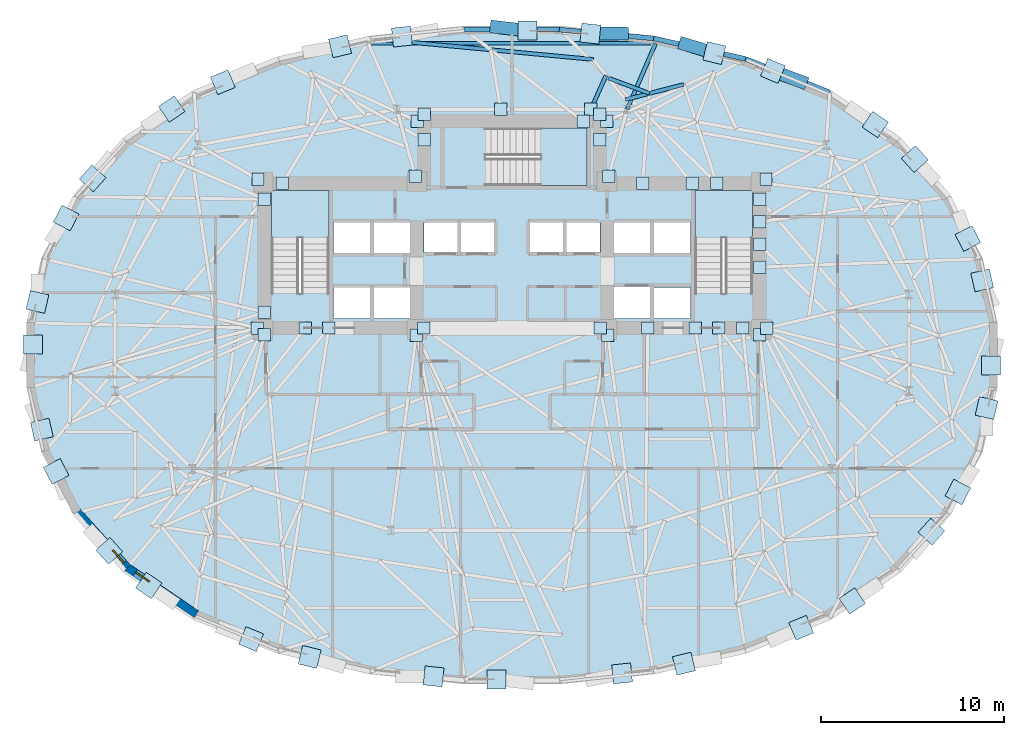
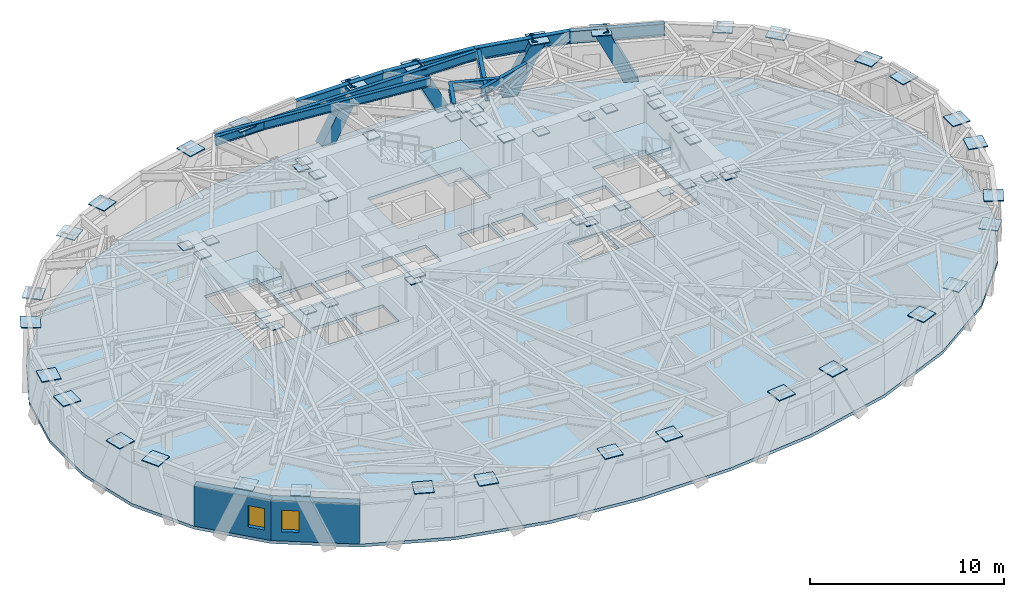
# One storey, part 5 of 14: 69 plates, 10 beams, 4 members, 4 slabs, 2 walls, 2 windows, 2 openings, 3 elements without a shape of their own.
"""IFC4 building model written with IfcOpenShell, lengths in metres."""

from ifc_helpers import new_model, si_unit, direction, frame, frame_2d, origin, origin_2d, place, context, subcontext, project, spatial, polyline, rectangle, hollow_rectangle, i_section, outline, extrude, material, layer, layer_set, material_profile, profile_set, type_object, element, fill, aggregate, save


model = new_model("IFC4")

# Units and contexts
model_context = context("Model", 3, precision=1e-05, world=origin(), true_north=direction((0.0, 1.0)))
body_context = subcontext(model_context, "Body", "Model", "MODEL_VIEW")
ifc_project = project(units=[si_unit("LENGTHUNIT", "METRE"), si_unit("AREAUNIT", "SQUARE_METRE"), si_unit("VOLUMEUNIT", "CUBIC_METRE"), si_unit("PLANEANGLEUNIT", "RADIAN"), si_unit("MASSUNIT", "GRAM", prefix="KILO")], contexts=[model_context])

# Site, building, storey
site_placement = place(None, origin())
site = spatial("IfcSite", under=ifc_project, at=site_placement, CompositionType="ELEMENT")
building_placement = place(site_placement, origin())
building = spatial("IfcBuilding", under=site, at=building_placement, Name="Keldmark Tower", CompositionType="ELEMENT")
storey_placement = place(building_placement, frame((0.0, 0.0, 117.60009765625)))
storey = spatial("IfcBuildingStorey", under=building, at=storey_placement, Name="L31", CompositionType="ELEMENT", Elevation=117.60009765625)

# Members
ifc_material_1 = material(Name="Steel ASTM A572 Grade 50", Category="steel")
ifc_material_profile_1 = material_profile(ifc_material_1, hollow_rectangle(XDim=0.699951171875, YDim=0.699951171875, WallThickness=0.044921875, at=origin_2d()), Name="BOX700X700X45")
ifc_profile_set_1 = profile_set([ifc_material_profile_1], Name="Steel ASTM A572 Grade 50")
member_type = type_object("IfcMemberType", Name="Diagrid Zone 2 Brace BOX700X700X45", PredefinedType="BRACE", material=ifc_profile_set_1)
member_1_placement = place(storey_placement, frame((15.80908203125, 14.9326171875, -0.27001953125), z_axis=(-0.404998247522, 0.153591515039, 0.901324617445), x_axis=(-0.354596691599, -0.935019350766, 0.0)))
element("IfcMember", 1, at=member_1_placement, inside=storey, type_object=member_type, Name="L31 Perimeter Diagrid Brace 03A", PredefinedType="BRACE", context=body_context, shape_type="SweptSolid", body=[
    extrude(hollow_rectangle(XDim=0.699951171875, YDim=0.699951171875, WallThickness=0.044921875, at=origin_2d()), origin(), (0.0, 0.0, 1.0), 3.8388671875),
])
member_2_placement = place(storey_placement, frame((9.439697265625, 16.982666015625, -0.27001953125), z_axis=(0.419880974586, -0.125393457214, 0.898875101485), x_axis=(0.286152554398, 0.958184071884, 0.0)))
element("IfcMember", 2, at=member_2_placement, inside=storey, type_object=member_type, Name="L31 Perimeter Diagrid Brace 03B", PredefinedType="BRACE", context=body_context, shape_type="SweptSolid", body=[
    extrude(hollow_rectangle(XDim=0.699951171875, YDim=0.699951171875, WallThickness=0.044921875, at=origin_2d()), origin(), (0.0, 0.0, 1.0), 3.84912109375),
])
member_3_placement = place(storey_placement, frame((6.053955078125, 17.55908203125, -0.27001953125), z_axis=(-0.455336778856, 0.000565401629, 0.890319099055), x_axis=(-0.001241720897, -0.999999229064, 0.0)))
element("IfcMember", 3, at=member_3_placement, inside=storey, type_object=member_type, Name="L31 Perimeter Diagrid Brace 04A", PredefinedType="BRACE", context=body_context, shape_type="SweptSolid", body=[
    extrude(hollow_rectangle(XDim=0.699951171875, YDim=0.699951171875, WallThickness=0.044921875, at=origin_2d()), origin(), (0.0, 0.0, 1.0), 3.88623046875),
])
member_4_placement = place(storey_placement, frame((-0.876708984375, 17.921142578125, -0.27001953125), z_axis=(0.446958771668, -0.05211263276, 0.893035346409), x_axis=(0.115809319173, 0.993271464199, 0.0)))
element("IfcMember", 4, at=member_4_placement, inside=storey, type_object=member_type, Name="L31 Perimeter Diagrid Brace 04B", PredefinedType="BRACE", context=body_context, shape_type="SweptSolid", body=[
    extrude(hollow_rectangle(XDim=0.699951171875, YDim=0.699951171875, WallThickness=0.044921875, at=origin_2d()), origin(), (0.0, 0.0, 1.0), 3.874267578125),
])

# Beams
ifc_material_2 = material(Name="Steel ASTM A992 Grade 50", Category="steel")
ifc_material_profile_2 = material_profile(ifc_material_2, i_section(OverallWidth=0.2099609375, OverallDepth=0.537109375, WebThickness=0.010986328125, FlangeThickness=0.017333984375, at=origin_2d()), Name="W21X68")
ifc_profile_set_2 = profile_set([ifc_material_profile_2], Name="Steel ASTM A992 Grade 50")
beam_type_1 = type_object("IfcBeamType", Name="Radial Tie Girder W21X68", PredefinedType="BEAM", material=ifc_profile_set_2)
beam_1_placement = place(storey_placement, frame((9.380859375, 14.781005859375, 3.04150390625), z_axis=(-0.967970183358, -0.251065179046, 0.0), x_axis=(0.251065179046, -0.967970183358, 0.0)))
element("IfcBeam", 5, at=beam_1_placement, inside=storey, type_object=beam_type_1, Name="L31 Framing Pin Header PH-008", PredefinedType="BEAM", context=body_context, shape_type="SweptSolid", body=[
    extrude(i_section(OverallWidth=0.2099609375, OverallDepth=0.537109375, WebThickness=0.010986328125, FlangeThickness=0.017333984375, at=origin_2d()), origin(), (0.0, 0.0, 1.0), 3.289794921875),
])
beam_2_placement = place(storey_placement, frame((5.26025390625, 15.13232421875, 3.04150390625), z_axis=(0.937258189231, -0.348636037609, 0.0), x_axis=(0.348636037609, 0.937258189231, 0.0)))
element("IfcBeam", 6, at=beam_2_placement, inside=storey, type_object=beam_type_1, Name="L31 Framing Pin Header PH-017", PredefinedType="BEAM", context=body_context, shape_type="SweptSolid", body=[
    extrude(i_section(OverallWidth=0.2099609375, OverallDepth=0.537109375, WebThickness=0.010986328125, FlangeThickness=0.017333984375, at=origin_2d()), origin(), (0.0, 0.0, 1.0), 2.39990234375),
])
beam_3_placement = place(storey_placement, frame((4.311279296875, 13.4326171875, 3.04150390625), z_axis=(0.40972339729, 0.912209810139, 0.0), x_axis=(-0.912209810139, 0.40972339729, 0.0)))
element("IfcBeam", 7, at=beam_3_placement, inside=storey, type_object=beam_type_1, Name="L31 Framing Pin Header PH-018", PredefinedType="BEAM", context=body_context, shape_type="SweptSolid", body=[
    extrude(i_section(OverallWidth=0.2099609375, OverallDepth=0.537109375, WebThickness=0.010986328125, FlangeThickness=0.017333984375, at=origin_2d()), origin(), (0.0, 0.0, 1.0), 2.026611328125),
])
beam_4_placement = place(storey_placement, frame((6.298828125, 13.4326171875, 3.04150390625), z_axis=(0.395437186935, 0.918493021851, 0.0), x_axis=(-0.918493021851, 0.395437186935, 0.0)))
element("IfcBeam", 8, at=beam_4_placement, inside=storey, type_object=beam_type_1, Name="L31 North Column Cantilever Girder East FG-TCN-E", PredefinedType="BEAM", context=body_context, shape_type="SweptSolid", body=[
    extrude(i_section(OverallWidth=0.2099609375, OverallDepth=0.537109375, WebThickness=0.010986328125, FlangeThickness=0.017333984375, at=origin_2d()), origin(), (0.0, 0.0, 1.0), 3.919921875),
])
beam_5_placement = place(storey_placement, frame((-7.848876953125, 17.032958984375, 3.04150390625), z_axis=(1.0, 0.0, 0.0), x_axis=(0.0, 1.0, 0.0)))
element("IfcBeam", 9, at=beam_5_placement, inside=storey, type_object=beam_type_1, Name="L31 North Outer Header Girder FG-TCN-H1", PredefinedType="BEAM", context=body_context, shape_type="SweptSolid", body=[
    extrude(i_section(OverallWidth=0.2099609375, OverallDepth=0.537109375, WebThickness=0.010986328125, FlangeThickness=0.017333984375, at=origin_2d()), origin(), (0.0, 0.0, 1.0), 15.69775390625),
])
beam_6_placement = place(storey_placement, frame((4.4521484375, 16.148193359375, 3.04150390625), z_axis=(-0.995581612874, 0.093900224211, 0.0), x_axis=(-0.093900224211, -0.995581612874, 0.0)))
element("IfcBeam", 10, at=beam_6_placement, inside=storey, type_object=beam_type_1, Name="L31 Straddling Support Chord RT-09RB", PredefinedType="BEAM", context=body_context, shape_type="SweptSolid", body=[
    extrude(i_section(OverallWidth=0.2099609375, OverallDepth=0.537109375, WebThickness=0.010986328125, FlangeThickness=0.017333984375, at=origin_2d()), origin(), (0.0, 0.0, 1.0), 12.24609375),
])
ifc_material_3 = material(Name="Steel ASTM A992 Grade 50", Category="steel")
ifc_material_profile_3 = material_profile(ifc_material_3, i_section(OverallWidth=0.26806640625, OverallDepth=0.77001953125, WebThickness=0.015625, FlangeThickness=0.025390625, at=origin_2d()), Name="W30X132")
ifc_profile_set_3 = profile_set([ifc_material_profile_3], Name="Steel ASTM A992 Grade 50")
beam_type_2 = type_object("IfcBeamType", Name="Spandrel Ring Beam W30X132", PredefinedType="SPANDREL", material=ifc_profile_set_3)
beam_7_placement = place(storey_placement, frame((17.364990234375, 14.345703125, 2.9248046875), z_axis=(-0.92909994532, 0.369828732804, 0.0), x_axis=(-0.369828732804, -0.92909994532, 0.0)))
element("IfcBeam", 11, at=beam_7_placement, inside=storey, type_object=beam_type_2, Name="L31 Perimeter Spandrel Ring Beam SRB-05", PredefinedType="SPANDREL", context=body_context, shape_type="SweptSolid", body=[
    extrude(i_section(OverallWidth=0.26806640625, OverallDepth=0.77001953125, WebThickness=0.015625, FlangeThickness=0.025390625, at=origin_2d()), origin(), (0.0, 0.0, 1.0), 4.96044921875),
])
beam_8_placement = place(storey_placement, frame((12.75634765625, 16.18017578125, 2.9248046875), z_axis=(-0.976058355685, 0.217508818896, 0.0), x_axis=(-0.217508818896, -0.976058355685, 0.0)))
element("IfcBeam", 12, at=beam_8_placement, inside=storey, type_object=beam_type_2, Name="L31 Perimeter Spandrel Ring Beam SRB-06", PredefinedType="SPANDREL", context=body_context, shape_type="SweptSolid", body=[
    extrude(i_section(OverallWidth=0.26806640625, OverallDepth=0.77001953125, WebThickness=0.015625, FlangeThickness=0.025390625, at=origin_2d()), origin(), (0.0, 0.0, 1.0), 5.1396484375),
])
beam_9_placement = place(storey_placement, frame((7.73974609375, 17.298095703125, 2.9248046875), z_axis=(-0.995683505502, 0.092813559737, 0.0), x_axis=(-0.092813559737, -0.995683505502, 0.0)))
element("IfcBeam", 13, at=beam_9_placement, inside=storey, type_object=beam_type_2, Name="L31 Perimeter Spandrel Ring Beam SRB-07", PredefinedType="SPANDREL", context=body_context, shape_type="SweptSolid", body=[
    extrude(i_section(OverallWidth=0.26806640625, OverallDepth=0.77001953125, WebThickness=0.015625, FlangeThickness=0.025390625, at=origin_2d()), origin(), (0.0, 0.0, 1.0), 5.179443359375),
])
beam_10_placement = place(storey_placement, frame((2.582763671875, 17.77880859375, 2.9248046875), z_axis=(-1.0, 0.0, 0.0), x_axis=(0.0, -1.0, 0.0)))
element("IfcBeam", 14, at=beam_10_placement, inside=storey, type_object=beam_type_2, Name="L31 Perimeter Spandrel Ring Beam SRB-08", PredefinedType="SPANDREL", context=body_context, shape_type="SweptSolid", body=[
    extrude(i_section(OverallWidth=0.26806640625, OverallDepth=0.77001953125, WebThickness=0.015625, FlangeThickness=0.025390625, at=origin_2d()), origin(), (0.0, 0.0, 1.0), 5.16552734375),
])

# Plates
ifc_material_4 = material(Name="Steel ASTM A572 Grade 50", Category="steel")
ifc_layer_1 = layer(ifc_material_4, 0.06005859375)
ifc_layer_set_1 = layer_set([ifc_layer_1], Name="Steel ASTM A572 Grade 50")
plate_type_1 = type_object("IfcPlateType", Name="Belt Truss Kink Node Assembly KN01 60 mm", PredefinedType="USERDEFINED", material=ifc_layer_set_1)
for number, where, z_axis, x_axis, name in (
    (15, (13.91162109375, 1.473388671875, 3.01416015625), (0.0, 0.0, 1.0), (1.0, 0.0, 0.0), "L31 Core Wall Cast-In Embed Plate 881"),
    (16, (13.878173828125, 9.608154296875, 3.01416015625), (0.0, 0.0, 1.0), (1.0, 0.0, 0.0), "L31 Core Wall Cast-In Embed Plate 882"),
    (17, (5.28515625, 9.758544921875, 3.01416015625), (0.0, 0.0, 1.0), (1.0, 0.0, 0.0), "L31 Core Wall Cast-In Embed Plate 883"),
    (18, (-5.28515625, 9.758544921875, 3.01416015625), (0.0, 0.0, 1.0), (1.0, 0.0, 0.0), "L31 Core Wall Cast-In Embed Plate 884"),
    (19, (-13.878173828125, 9.608154296875, 3.01416015625), (0.0, 0.0, 1.0), (1.0, 0.0, 0.0), "L31 Core Wall Cast-In Embed Plate 885"),
    (20, (-13.91162109375, 1.473388671875, 3.01416015625), (0.0, 0.0, 1.0), (1.0, 0.0, 0.0), "L31 Core Wall Cast-In Embed Plate 886"),
    (21, (-5.24072265625, 1.08251953125, 3.01416015625), (0.0, 0.0, 1.0), (1.0, 0.0, 0.0), "L31 Core Wall Cast-In Embed Plate 887"),
    (22, (5.24072265625, 1.08251953125, 3.01416015625), (0.0, 0.0, 1.0), (1.0, 0.0, 0.0), "L31 Core Wall Cast-In Embed Plate 888"),
    (23, (4.800048828125, 13.14990234375, 3.01416015625), (0.0, 0.0, 1.0), (1.0, 0.0, 0.0), "L31 Core Wall Cast-In Embed Plate 889"),
    (24, (11.19287109375, 9.375, 3.01416015625), (0.0, 0.0, 1.0), (1.0, 0.0, 0.0), "L31 Core Wall Cast-In Embed Plate 890"),
    (25, (-4.800048828125, 13.14990234375, 3.01416015625), (0.0, 0.0, 1.0), (1.0, 0.0, 0.0), "L31 Core Wall Cast-In Embed Plate 891"),
    (26, (9.83935546875, 9.375, 3.01416015625), (0.0, 0.0, 1.0), (1.0, 0.0, 0.0), "L31 Core Wall Cast-In Embed Plate 892"),
    (27, (-11.30712890625, 1.47509765625, 3.01416015625), (0.0, 0.0, 1.0), (1.0, 0.0, 0.0), "L31 Core Wall Cast-In Embed Plate 893"),
    (28, (12.603515625, 1.47509765625, 3.01416015625), (0.0, 0.0, 1.0), (1.0, 0.0, 0.0), "L31 Core Wall Cast-In Embed Plate 894"),
    (29, (13.52490234375, 6.04296875, 3.01416015625), (0.0, 0.0, 1.0), (1.0, 0.0, 0.0), "L31 Core Wall Cast-In Embed Plate 895"),
    (30, (13.52490234375, 4.80712890625, 3.01416015625), (0.0, 0.0, 1.0), (1.0, 0.0, 0.0), "L31 Core Wall Cast-In Embed Plate 896"),
    (31, (13.52490234375, 7.278564453125, 3.01416015625), (0.0, 0.0, 1.0), (1.0, 0.0, 0.0), "L31 Core Wall Cast-In Embed Plate 897"),
    (32, (5.175048828125, 12.77490234375, 3.01416015625), (0.0, 0.0, 1.0), (1.0, 0.0, 0.0), "L31 Core Wall Cast-In Embed Plate 898"),
    (33, (4.800048828125, 11.7666015625, 3.01416015625), (0.0, 0.0, 1.0), (1.0, 0.0, 0.0), "L31 Core Wall Cast-In Embed Plate 899"),
    (34, (7.132080078125, 9.375, 3.01416015625), (0.0, 0.0, 1.0), (1.0, 0.0, 0.0), "L31 Core Wall Cast-In Embed Plate 900"),
    (35, (4.311279296875, 13.4326171875, 3.01416015625), (0.0, 0.0, 1.0), (1.0, 0.0, 0.0), "L31 Core Wall Cast-In Embed Plate 901"),
    (36, (-12.54638671875, 9.375, 3.01416015625), (0.0, 0.0, 1.0), (1.0, 0.0, 0.0), "L31 Core Wall Cast-In Embed Plate 902"),
    (37, (-5.175048828125, 12.77490234375, 3.01416015625), (0.0, 0.0, 1.0), (1.0, 0.0, 0.0), "L31 Core Wall Cast-In Embed Plate 903"),
    (38, (-4.800048828125, 11.7666015625, 3.01416015625), (0.0, 0.0, 1.0), (1.0, 0.0, 0.0), "L31 Core Wall Cast-In Embed Plate 904"),
    (39, (-13.52490234375, 8.514404296875, 3.01416015625), (0.0, 0.0, 1.0), (1.0, 0.0, 0.0), "L31 Core Wall Cast-In Embed Plate 905"),
    (40, (-13.52490234375, 2.335693359375, 3.01416015625), (0.0, 0.0, 1.0), (1.0, 0.0, 0.0), "L31 Core Wall Cast-In Embed Plate 906"),
    (41, (-13.52490234375, 1.10009765625, 3.01416015625), (0.0, 0.0, 1.0), (1.0, 0.0, 0.0), "L31 Core Wall Cast-In Embed Plate 907"),
    (42, (4.824951171875, 1.47509765625, 3.01416015625), (0.0, 0.0, 1.0), (1.0, 0.0, 0.0), "L31 Core Wall Cast-In Embed Plate 908"),
    (43, (13.52490234375, 1.10009765625, 3.01416015625), (0.0, 0.0, 1.0), (1.0, 0.0, 0.0), "L31 Core Wall Cast-In Embed Plate 909"),
    (44, (-10.0107421875, 1.47509765625, 3.01416015625), (0.0, 0.0, 1.0), (1.0, 0.0, 0.0), "L31 Core Wall Cast-In Embed Plate 910"),
    (45, (7.41796875, 1.47509765625, 3.01416015625), (0.0, 0.0, 1.0), (1.0, 0.0, 0.0), "L31 Core Wall Cast-In Embed Plate 911"),
    (46, (11.30712890625, 1.47509765625, 3.01416015625), (0.0, 0.0, 1.0), (1.0, 0.0, 0.0), "L31 Core Wall Cast-In Embed Plate 912"),
    (47, (10.0107421875, 1.47509765625, 3.01416015625), (0.0, 0.0, 1.0), (1.0, 0.0, 0.0), "L31 Core Wall Cast-In Embed Plate 913"),
    (48, (-4.824951171875, 1.47509765625, 3.01416015625), (0.0, 0.0, 1.0), (1.0, 0.0, 0.0), "L31 Core Wall Cast-In Embed Plate 914"),
    (49, (13.52490234375, 8.514404296875, 3.01416015625), (0.0, 0.0, 1.0), (1.0, 0.0, 0.0), "L31 Core Wall Cast-In Embed Plate 915"),
    (50, (-0.615966796875, 13.4326171875, 3.01416015625), (0.0, 0.0, 1.0), (1.0, 0.0, 0.0), "L31 Core Wall Cast-In Embed Plate 916"),
    (51, (3.88134765625, 12.77490234375, 3.01416015625), (0.0, 0.0, 1.0), (1.0, 0.0, 0.0), "L31 Core Wall Cast-In Embed Plate 917"),
):
    element("IfcPlate", number, at=place(storey_placement, frame(where, z_axis=z_axis, x_axis=x_axis)), inside=storey, type_object=plate_type_1, Name=name, ObjectType="CAP PLATE", PredefinedType="USERDEFINED", context=body_context, shape_type="SweptSolid", body=[
        extrude(rectangle(XDim=0.679931640625, YDim=0.679931640625, at=origin_2d()), origin(), (0.0, 0.0, 1.0), 0.054931640625),
    ])
ifc_material_5 = material(Name="Steel ASTM A572 Grade 50", Category="steel")
ifc_layer_2 = layer(ifc_material_5, 0.054931640625)
ifc_layer_set_2 = layer_set([ifc_layer_2], Name="Steel ASTM A572 Grade 50")
plate_type_2 = type_object("IfcPlateType", Name="Diagrid Node Assembly DN03 55 mm", PredefinedType="USERDEFINED", material=ifc_layer_set_2)
for number, where, z_axis, x_axis, name in (
    (52, (25.69091796875, 4.075927734375, 3.16259765625), (0.0, 0.0, 1.0), (-0.223250116011, 0.974761194191, 0.0), "L31 Diagrid Node Assembly 01"),
    (53, (24.9072265625, 6.363525390625, 3.16259765625), (0.0, 0.0, 1.0), (-0.461748613235, 0.887010833178, 0.0), "L31 Diagrid Node Assembly 02"),
    (54, (22.008544921875, 10.703369140625, 3.16259765625), (0.0, 0.0, 1.0), (-0.668741404933, 0.743495079559, 0.0), "L31 Diagrid Node Assembly 03"),
    (55, (19.84814453125, 12.592529296875, 3.16259765625), (0.0, 0.0, 1.0), (-0.827668733006, 0.561216953062, 0.0), "L31 Diagrid Node Assembly 04"),
    (56, (14.25439453125, 15.522216796875, 3.16259765625), (0.0, 0.0, 1.0), (-0.924146470781, 0.38203834957, 0.0), "L31 Diagrid Node Assembly 05"),
    (57, (11.055908203125, 16.5, 3.16259765625), (0.0, 0.0, 1.0), (-0.972532659033, 0.232766464755, 0.0), "L31 Diagrid Node Assembly 06"),
    (58, (4.284423828125, 17.561279296875, 3.16259765625), (0.0, 0.0, 1.0), (-0.994503636562, 0.10470203849, 0.0), "L31 Diagrid Node Assembly 07"),
    (59, (0.85498046875, 17.71923828125, 3.16259765625), (0.0, 0.0, 1.0), (-1.0, 0.0, 0.0), "L31 Diagrid Node Assembly 08"),
    (60, (-6.014892578125, 17.398681640625, 3.16259765625), (0.0, 0.0, 1.0), (-0.994503636562, -0.10470203849, 0.0), "L31 Diagrid Node Assembly 09"),
    (61, (-9.39453125, 16.8681640625, 3.16259765625), (0.0, 0.0, 1.0), (-0.972532659033, -0.232766464755, 0.0), "L31 Diagrid Node Assembly 10"),
    (62, (-15.800537109375, 14.904296875, 3.16259765625), (0.0, 0.0, 1.0), (-0.924146470781, -0.38203834957, 0.0), "L31 Diagrid Node Assembly 11"),
    (63, (-18.591796875, 13.441650390625, 3.16259765625), (0.0, 0.0, 1.0), (-0.827668733006, -0.561216953062, 0.0), "L31 Diagrid Node Assembly 12"),
    (64, (-22.9169921875, 9.65185546875, 3.16259765625), (0.0, 0.0, 1.0), (-0.668741404933, -0.743495079559, 0.0), "L31 Diagrid Node Assembly 13"),
    (65, (-24.362060546875, 7.486572265625, 3.16259765625), (0.0, 0.0, 1.0), (-0.461748613235, -0.887010833178, 0.0), "L31 Diagrid Node Assembly 14"),
    (66, (-25.9296875, 2.899169921875, 3.16259765625), (0.0, 0.0, 1.0), (-0.223250116011, -0.974761194191, 0.0), "L31 Diagrid Node Assembly 15"),
    (67, (-26.163818359375, 0.577880859375, 3.16259765625), (0.0, 0.0, 1.0), (0.0, -1.0, 0.0), "L31 Diagrid Node Assembly 16"),
    (68, (-25.69091796875, -4.075927734375, 3.16259765625), (0.0, 0.0, 1.0), (0.223250116011, -0.974761194191, 0.0), "L31 Diagrid Node Assembly 17"),
    (69, (-24.9072265625, -6.363525390625, 3.16259765625), (0.0, 0.0, 1.0), (0.461748613235, -0.887010833178, 0.0), "L31 Diagrid Node Assembly 18"),
    (70, (-22.008544921875, -10.703369140625, 3.16259765625), (0.0, 0.0, 1.0), (0.668741404933, -0.743495079559, 0.0), "L31 Diagrid Node Assembly 19"),
    (71, (-19.84814453125, -12.592529296875, 3.16259765625), (0.0, 0.0, 1.0), (0.827668733006, -0.561216953062, 0.0), "L31 Diagrid Node Assembly 20"),
    (72, (-14.25439453125, -15.522216796875, 3.16259765625), (0.0, 0.0, 1.0), (0.924146470781, -0.38203834957, 0.0), "L31 Diagrid Node Assembly 21"),
    (73, (-11.055908203125, -16.5, 3.16259765625), (0.0, 0.0, 1.0), (0.972532659033, -0.232766464755, 0.0), "L31 Diagrid Node Assembly 22"),
    (74, (-4.284423828125, -17.561279296875, 3.16259765625), (0.0, 0.0, 1.0), (0.994503636562, -0.10470203849, 0.0), "L31 Diagrid Node Assembly 23"),
    (75, (-0.85498046875, -17.71923828125, 3.16259765625), (0.0, 0.0, 1.0), (1.0, 0.0, 0.0), "L31 Diagrid Node Assembly 24"),
    (76, (6.014892578125, -17.398681640625, 3.16259765625), (0.0, 0.0, 1.0), (0.994503636562, 0.10470203849, 0.0), "L31 Diagrid Node Assembly 25"),
    (77, (9.39453125, -16.8681640625, 3.16259765625), (0.0, 0.0, 1.0), (0.972532659033, 0.232766464755, 0.0), "L31 Diagrid Node Assembly 26"),
    (78, (15.800537109375, -14.904296875, 3.16259765625), (0.0, 0.0, 1.0), (0.924146470781, 0.38203834957, 0.0), "L31 Diagrid Node Assembly 27"),
    (79, (18.591796875, -13.441650390625, 3.16259765625), (0.0, 0.0, 1.0), (0.827668733006, 0.561216953062, 0.0), "L31 Diagrid Node Assembly 28"),
    (80, (22.9169921875, -9.65185546875, 3.16259765625), (0.0, 0.0, 1.0), (0.668741404933, 0.743495079559, 0.0), "L31 Diagrid Node Assembly 29"),
    (81, (24.362060546875, -7.486572265625, 3.16259765625), (0.0, 0.0, 1.0), (0.461748613235, 0.887010833178, 0.0), "L31 Diagrid Node Assembly 30"),
    (82, (25.9296875, -2.899169921875, 3.16259765625), (0.0, 0.0, 1.0), (0.223250116011, 0.974761194191, 0.0), "L31 Diagrid Node Assembly 31"),
    (83, (26.163818359375, -0.577880859375, 3.16259765625), (0.0, 0.0, 1.0), (0.0, 1.0, 0.0), "L31 Diagrid Node Assembly 32"),
):
    element("IfcPlate", number, at=place(storey_placement, frame(where, z_axis=z_axis, x_axis=x_axis)), inside=storey, type_object=plate_type_2, Name=name, ObjectType="GUSSET", PredefinedType="USERDEFINED", context=body_context, shape_type="SweptSolid", body=[
        extrude(rectangle(XDim=1.0400390625, YDim=1.0400390625, at=origin_2d()), origin(), (0.0, 0.0, 1.0), 0.054931640625),
    ])

# Slab
ifc_material_6 = material(Name="Concrete C35/45", Category="concrete")
ifc_layer_3 = layer(ifc_material_6, 0.18994140625)
ifc_layer_set_3 = layer_set([ifc_layer_3], Name="Concrete C35/45")
slab_type_1 = type_object("IfcSlabType", Name="Mid-Rise Office Composite Slab 190 mm", PredefinedType="FLOOR", material=ifc_layer_set_3)
slab_1_placement = place(storey_placement, frame((0.0, 0.0, -0.190185546875)))
element("IfcSlab", 84, at=slab_1_placement, inside=storey, type_object=slab_type_1, Name="L31 Composite Structural Floor Slab", PredefinedType="FLOOR", context=body_context, shape_type="SweptSolid", body=[
    extrude(outline(polyline([(26.52197265625, 1.77099609375), (25.716064453125, 5.288818359375), (23.950927734375, 8.67919921875), (21.165283203125, 11.776123046875), (17.3701171875, 14.349365234375), (12.802001953125, 16.23779296875), (7.80078125, 17.434326171875), (2.6123046875, 17.980712890625), (-2.6123046875, 17.980712890625), (-7.80078125, 17.434326171875), (-12.802001953125, 16.23779296875), (-17.3701171875, 14.349365234375), (-21.165283203125, 11.776123046875), (-23.950927734375, 8.67919921875), (-25.716064453125, 5.288818359375), (-26.52197265625, 1.77099609375), (-26.52197265625, -1.77099609375), (-25.716064453125, -5.288818359375), (-23.950927734375, -8.67919921875), (-21.165283203125, -11.776123046875), (-17.3701171875, -14.349365234375), (-12.802001953125, -16.23779296875), (-7.80078125, -17.434326171875), (-2.6123046875, -17.980712890625), (2.6123046875, -17.980712890625), (7.80078125, -17.434326171875), (12.802001953125, -16.23779296875), (17.3701171875, -14.349365234375), (21.165283203125, -11.776123046875), (23.950927734375, -8.67919921875), (25.716064453125, -5.288818359375), (26.52197265625, -1.77099609375), (26.52197265625, 1.77099609375)]), holes=[polyline([(-10.0, 3.385009765625), (-10.0, 9.0), (-13.14990234375, 9.0), (-13.14990234375, 3.385009765625), (-10.0, 3.385009765625)]), polyline([(13.14990234375, 3.385009765625), (13.14990234375, 9.0), (10.0, 9.0), (10.0, 3.385009765625), (13.14990234375, 3.385009765625)]), polyline([(-1.43994140625, 9.25), (4.10498046875, 9.25), (4.10498046875, 12.39990234375), (-1.43994140625, 12.39990234375), (-1.43994140625, 9.25)]), polyline([(-9.75, 2.0), (-7.75, 2.0), (-7.75, 3.699951171875), (-9.75, 3.699951171875), (-9.75, 2.0)]), polyline([(7.75, 2.0), (9.75, 2.0), (9.75, 3.699951171875), (7.75, 3.699951171875), (7.75, 2.0)]), polyline([(5.449951171875, 2.0), (7.550048828125, 2.0), (7.550048828125, 3.75), (5.449951171875, 3.75), (5.449951171875, 2.0)]), polyline([(-4.800048828125, 5.60009765625), (-2.949951171875, 5.60009765625), (-2.949951171875, 7.25), (-4.800048828125, 7.25), (-4.800048828125, 5.60009765625)]), polyline([(-2.800048828125, 5.60009765625), (-0.949951171875, 5.60009765625), (-0.949951171875, 7.25), (-2.800048828125, 7.25), (-2.800048828125, 5.60009765625)]), polyline([(0.949951171875, 5.60009765625), (2.800048828125, 5.60009765625), (2.800048828125, 7.25), (0.949951171875, 7.25), (0.949951171875, 5.60009765625)]), polyline([(2.949951171875, 5.60009765625), (4.800048828125, 5.60009765625), (4.800048828125, 7.25), (2.949951171875, 7.25), (2.949951171875, 5.60009765625)]), polyline([(-9.75, 5.550048828125), (-7.75, 5.550048828125), (-7.75, 7.25), (-9.75, 7.25), (-9.75, 5.550048828125)]), polyline([(-7.550048828125, 5.550048828125), (-5.550048828125, 5.550048828125), (-5.550048828125, 7.25), (-7.550048828125, 7.25), (-7.550048828125, 5.550048828125)]), polyline([(-7.550048828125, 2.0), (-5.550048828125, 2.0), (-5.550048828125, 3.699951171875), (-7.550048828125, 3.699951171875), (-7.550048828125, 2.0)]), polyline([(5.449951171875, 5.550048828125), (7.550048828125, 5.550048828125), (7.550048828125, 7.25), (5.449951171875, 7.25), (5.449951171875, 5.550048828125)]), polyline([(7.75, 5.550048828125), (9.75, 5.550048828125), (9.75, 7.25), (7.75, 7.25), (7.75, 5.550048828125)])]), origin(), (0.0, 0.0, 1.0), 0.190185546875),
])

# Stair, slab
ifc_material_7 = material(Name="Concrete C40/50", Category="concrete")
stair_type = type_object("IfcStairType", Name="Precast Concrete Core Exit Stair", PredefinedType="HALF_TURN_STAIR", material=ifc_material_7)
stair_1_placement = place(storey_placement, origin())
stair_1 = element("IfcStair", 85, at=stair_1_placement, inside=storey, type_object=stair_type, Name="L31 Exit Stair ST1", PredefinedType="HALF_TURN_STAIR")
ifc_material_8 = material(Name="Concrete C40/50", Category="concrete")
ifc_layer_4 = layer(ifc_material_8, 0.199951171875)
ifc_layer_set_4 = layer_set([ifc_layer_4], Name="Concrete C40/50")
slab_type_2 = type_object("IfcSlabType", Name="Reinforced Concrete Stair Landing 200 mm", PredefinedType="LANDING", material=ifc_layer_set_4)
slab_2_placement = place(storey_placement, frame((0.0, 0.0, 1.5498046875)))
slab_2 = element("IfcSlab", 86, at=slab_2_placement, type_object=slab_type_2, Name="ST1 landing 1", PredefinedType="LANDING", context=body_context, shape_type="SweptSolid", body=[
    extrude(outline(polyline([(-10.0, 6.389892578125), (-10.0, 9.0), (-13.14990234375, 9.0), (-13.14990234375, 6.389892578125), (-10.0, 6.389892578125)])), origin(), (0.0, 0.0, 1.0), 0.2001953125),
])
aggregate(stair_1, [slab_2])

stair_2_placement = place(storey_placement, origin())
stair_2 = element("IfcStair", 87, at=stair_2_placement, inside=storey, type_object=stair_type, Name="L31 Exit Stair ST2", PredefinedType="HALF_TURN_STAIR")
slab_3_placement = place(storey_placement, frame((0.0, 0.0, 1.5498046875)))
slab_3 = element("IfcSlab", 88, at=slab_3_placement, type_object=slab_type_2, Name="ST2 landing 1", PredefinedType="LANDING", context=body_context, shape_type="SweptSolid", body=[
    extrude(outline(polyline([(13.14990234375, 6.389892578125), (13.14990234375, 9.0), (10.0, 9.0), (10.0, 6.389892578125), (13.14990234375, 6.389892578125)])), origin(), (0.0, 0.0, 1.0), 0.2001953125),
])
aggregate(stair_2, [slab_3])

stair_3_placement = place(storey_placement, origin())
stair_3 = element("IfcStair", 89, at=stair_3_placement, inside=storey, type_object=stair_type, Name="L31 Exit Stair ST3", PredefinedType="HALF_TURN_STAIR")
slab_4_placement = place(storey_placement, frame((0.0, 0.0, 1.5498046875)))
slab_4 = element("IfcSlab", 90, at=slab_4_placement, type_object=slab_type_2, Name="ST3 landing 1", PredefinedType="LANDING", context=body_context, shape_type="SweptSolid", body=[
    extrude(outline(polyline([(1.56494140625, 9.25), (4.10498046875, 9.25), (4.10498046875, 12.39990234375), (1.56494140625, 12.39990234375), (1.56494140625, 9.25)])), origin(), (0.0, 0.0, 1.0), 0.2001953125),
])
aggregate(stair_3, [slab_4])

# Wall, opening, window
ifc_material_9 = material(Name="Ironspot Manganese Brick and Kasota Buff Limestone Spandrel Assembly", Category="masonry")
ifc_layer_5 = layer(ifc_material_9, 0.43994140625)
ifc_layer_set_5 = layer_set([ifc_layer_5], Name="Ironspot Manganese Brick and Kasota Buff Limestone Spandrel Assembly")
wall_type = type_object("IfcWallType", Name="Tower Brick Pier and Spandrel Wall 440 mm", PredefinedType="STANDARD", material=ifc_layer_set_5)
wall_1_placement = place(storey_placement, frame((-21.001708984375, -11.629150390625, 0.0), z_axis=(0.0, 0.0, 1.0), x_axis=(-0.668754222456, 0.743483550556, 0.0)))
wall_1 = element("IfcWall", 91, at=wall_1_placement, inside=storey, type_object=wall_type, Name="L31 Exterior Brick and Spandrel Wall 19", PredefinedType="STANDARD", context=body_context, shape_type="SweptSolid", body=[
    extrude(rectangle(XDim=4.16552734375, YDim=0.43994140625, at=frame_2d((2.082763671875, 0.0))), origin(), (0.0, 0.0, 1.0), 2.52783203125),
])
opening_1_placement = place(wall_1_placement, frame((0.34814453125, 0.0, 0.580078125)))
opening_1 = element("IfcOpeningElement", 92, at=opening_1_placement, cuts=wall_1, Name="Opening W-09", PredefinedType="OPENING", context=body_context, shape_type="SweptSolid", body=[
    extrude(rectangle(XDim=0.89990234375, YDim=1.35009765625, at=frame_2d((0.449951171875, 0.675048828125))), frame((0.0, 0.22998046875, 0.0), z_axis=(0.0, -1.0, 0.0), x_axis=(1.0, 0.0, 0.0)), (0.0, 0.0, 1.0), 0.4599609375),
])
ifc_material_10 = material(Name="Thermally Broken Anodized Aluminum and Triple Low-E Argon Glazing", Category="aluminium")
window_type = type_object("IfcWindowType", Name="Corner Pier Deep-Set Window 900x1350", PartitioningType="SINGLE_PANEL", PredefinedType="WINDOW", material=ifc_material_10)
window_1_placement = place(opening_1_placement, origin())
window_1 = element("IfcWindow", 93, at=window_1_placement, inside=storey, type_object=window_type, Name="L31 Deep-Set Window 19", OverallHeight=1.35009765625, OverallWidth=0.89990234375, PartitioningType="SINGLE_PANEL", PredefinedType="WINDOW", context=body_context, shape_type="SweptSolid", body=[
    extrude(rectangle(XDim=0.89990234375, YDim=1.35009765625, at=frame_2d((0.449951171875, 0.675048828125))), frame((0.0, -0.010009765625, 0.0), z_axis=(0.0, -1.0, 0.0), x_axis=(1.0, 0.0, 0.0)), (0.0, 0.0, 1.0), 0.06005859375),
])
fill(opening_1, window_1)

wall_2_placement = place(storey_placement, frame((-17.24658203125, -14.167236328125, 0.0), z_axis=(0.0, 0.0, 1.0), x_axis=(-0.827700115196, 0.561170668607, 0.0)))
wall_2 = element("IfcWall", 94, at=wall_2_placement, inside=storey, type_object=wall_type, Name="L31 Exterior Brick and Spandrel Wall 20", PredefinedType="STANDARD", context=body_context, shape_type="SweptSolid", body=[
    extrude(rectangle(XDim=4.58544921875, YDim=0.43994140625, at=frame_2d((2.292724609375, 0.0))), origin(), (0.0, 0.0, 1.0), 2.52783203125),
])
opening_2_placement = place(wall_2_placement, frame((3.136962890625, 0.0, 0.580078125)))
opening_2 = element("IfcOpeningElement", 95, at=opening_2_placement, cuts=wall_2, Name="Opening W-09", PredefinedType="OPENING", context=body_context, shape_type="SweptSolid", body=[
    extrude(rectangle(XDim=0.89990234375, YDim=1.35009765625, at=frame_2d((0.449951171875, 0.675048828125))), frame((0.0, 0.22998046875, 0.0), z_axis=(0.0, -1.0, 0.0), x_axis=(1.0, 0.0, 0.0)), (0.0, 0.0, 1.0), 0.4599609375),
])
window_2_placement = place(opening_2_placement, origin())
window_2 = element("IfcWindow", 96, at=window_2_placement, inside=storey, type_object=window_type, Name="L31 Deep-Set Window 20", OverallHeight=1.35009765625, OverallWidth=0.89990234375, PartitioningType="SINGLE_PANEL", PredefinedType="WINDOW", context=body_context, shape_type="SweptSolid", body=[
    extrude(rectangle(XDim=0.89990234375, YDim=1.35009765625, at=frame_2d((0.449951171875, 0.675048828125))), frame((0.0, -0.010009765625, 0.0), z_axis=(0.0, -1.0, 0.0), x_axis=(1.0, 0.0, 0.0)), (0.0, 0.0, 1.0), 0.06005859375),
])
fill(opening_2, window_2)

save(model, "model.ifc")
